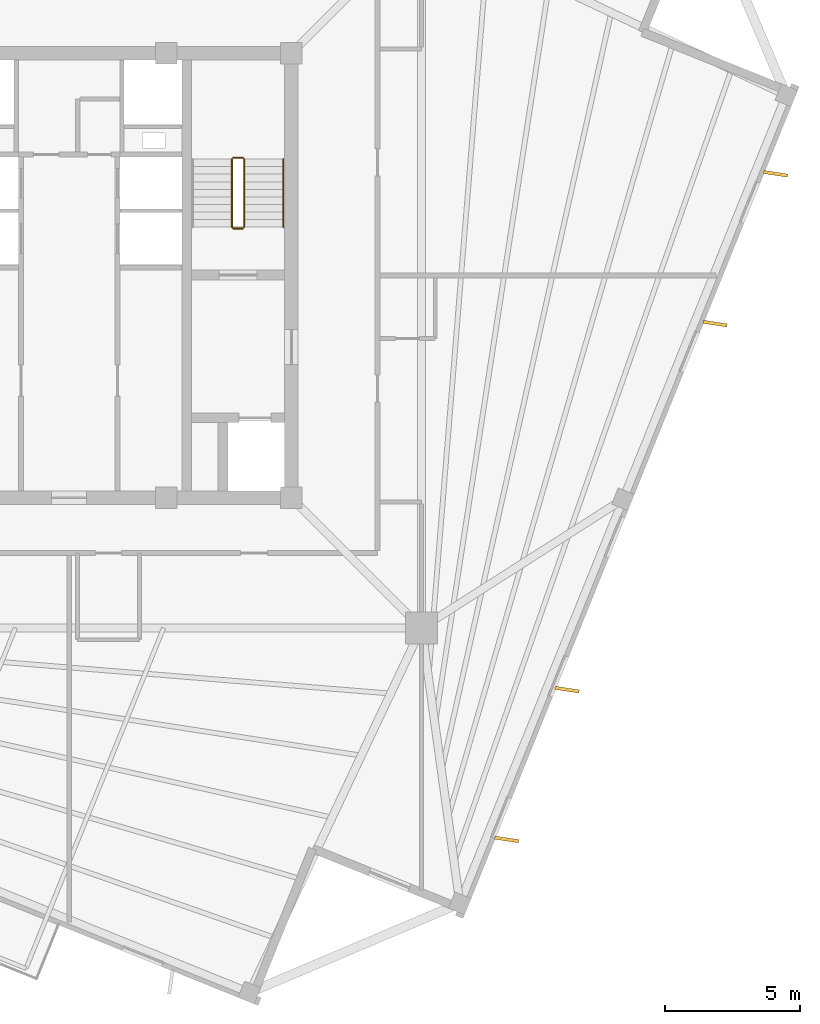
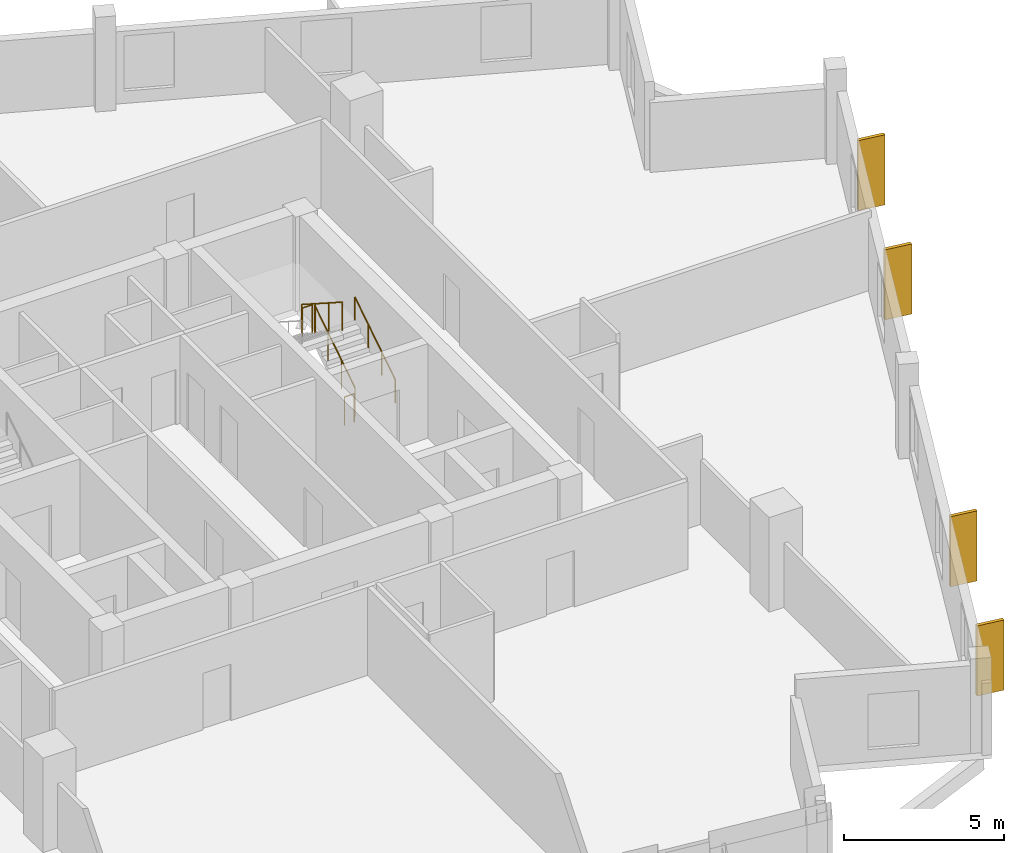
# One storey, part 7 of 8: 5 railings, 4 coverings.
"""IFC4 building model written with IfcOpenShell, lengths in metres."""

from ifc_helpers import new_model, si_unit, direction, frame, origin, origin_2d, place, context, subcontext, project, spatial, rectangle, circle, extrude, source, transform, mapped, material, layer, layer_set, type_object, element, save


model = new_model("IFC4")

# Units and contexts
model_context = context("Model", 3, precision=1e-05, world=origin(), true_north=direction((0.0, 1.0)))
body_context = subcontext(model_context, "Body", "Model", "MODEL_VIEW")
ifc_project = project(units=[si_unit("LENGTHUNIT", "METRE"), si_unit("AREAUNIT", "SQUARE_METRE"), si_unit("VOLUMEUNIT", "CUBIC_METRE"), si_unit("PLANEANGLEUNIT", "RADIAN"), si_unit("MASSUNIT", "GRAM", prefix="KILO"), si_unit("THERMODYNAMICTEMPERATUREUNIT", "KELVIN")], contexts=[model_context])

# Site, building, storey
site_placement = place(None, origin())
site = spatial("IfcSite", under=ifc_project, at=site_placement, CompositionType="ELEMENT")
building_placement = place(site_placement, origin())
building = spatial("IfcBuilding", under=site, at=building_placement, Name="Kosmvard Interchange Tower", CompositionType="ELEMENT")
storey_placement = place(building_placement, frame((0.0, 0.0, 286.800048828125)))
storey = spatial("IfcBuildingStorey", under=building, at=storey_placement, Name="L70", CompositionType="ELEMENT", Elevation=286.800048828125)

# Coverings
ifc_material_1 = material(Name="Architectural anodised aluminium", Category="aluminium")
ifc_layer = layer(ifc_material_1, 0.1201171875, Name="Architectural anodised aluminium")
ifc_layer_set = layer_set([ifc_layer], Name="Architectural anodised aluminium")
covering_type = type_object("IfcCoveringType", Name="Rotating Vertical Sun-Breaker Fin 900x120 Aluminium", PredefinedType="CLADDING", material=ifc_layer_set)
shared_shape_1 = source(origin(), body_context, "Body", "SweptSolid", [
    extrude(rectangle(XDim=0.89990234375, YDim=0.1201171875, at=origin_2d()), origin(), (0.0, 0.0, 1.0), 2.669921875),
])
for number, where, z_axis, x_axis, name in (
    (1, (16.2412109375, -20.932373046875, 0.0400390625), (0.0, 0.0, 1.0), (0.988493886809, -0.151260820247, 0.0), "L70 Rotating Vertical Sun-Breaker Fin 01"),
    (2, (18.4873046875, -15.373046875, 0.0400390625), (0.0, 0.0, 1.0), (0.988493886809, -0.151260820247, 0.0), "L70 Rotating Vertical Sun-Breaker Fin 02"),
    (3, (23.977783203125, -1.783935546875, 0.0400390625), (0.0, 0.0, 1.0), (0.988493886809, -0.151260820247, 0.0), "L70 Rotating Vertical Sun-Breaker Fin 03"),
    (4, (26.223876953125, 3.775390625, 0.0400390625), (0.0, 0.0, 1.0), (0.988493886809, -0.151260820247, 0.0), "L70 Rotating Vertical Sun-Breaker Fin 04"),
):
    element("IfcCovering", number, at=place(storey_placement, frame(where, z_axis=z_axis, x_axis=x_axis)), inside=storey, type_object=covering_type, Name=name, PredefinedType="CLADDING", context=body_context, shape_type="MappedRepresentation", body=[
        mapped(shared_shape_1, transform((0.0, 0.0, 0.0), scale=1.0)),
    ])

# Railings
ifc_material_2 = material(Name="Steel S355", Category="steel")
railing_type_1 = type_object("IfcRailingType", Name="Stair & Terrace Safety Guardrail 1100 Steel", PredefinedType="GUARDRAIL", material=ifc_material_2)
shared_shape_2 = source(origin(), body_context, "Body", "SweptSolid", [
    extrude(circle(Radius=0.02392578125, at=origin_2d()), frame((0.0, 0.0, 1.076171875), z_axis=(-1.0, 0.0, 0.0), x_axis=(0.0, -1.0, 0.0)), (0.0, 0.0, 1.0), 0.35986328125),
    extrude(circle(Radius=0.02099609375, at=origin_2d()), origin(), (0.0, 0.0, 1.0), 1.052001953125),
    extrude(circle(Radius=0.02099609375, at=origin_2d()), frame((-0.35986328125, 0.0, 0.0)), (0.0, 0.0, 1.0), 1.052001953125),
])
for number, where, name in (
    (5, (6.449951171875, 4.3701171875, 1.800048828125), "L70 ST-2 stair guard 2"),
    (6, (6.449951171875, 1.75, 0.0), "L70 ST-2 stair guard 4"),
):
    element("IfcRailing", number, at=place(storey_placement, frame(where)), inside=storey, type_object=railing_type_1, Name=name, PredefinedType="GUARDRAIL", context=body_context, shape_type="MappedRepresentation", body=[
        mapped(shared_shape_2, transform((0.0, 0.0, 0.0), scale=1.0)),
    ])
shared_shape_3 = source(origin(), body_context, "Body", "SweptSolid", [
    extrude(circle(Radius=0.02392578125, at=origin_2d()), frame((0.0, 0.0, 1.076171875), z_axis=(0.0, 0.841162588446, 0.540782303519), x_axis=(-1.0, 0.0, 0.0)), (0.0, 0.0, 1.0), 2.995849609375),
    extrude(circle(Radius=0.02099609375, at=origin_2d()), origin(), (0.0, 0.0, 1.0), 1.052001953125),
    extrude(circle(Radius=0.02099609375, at=origin_2d()), frame((0.0, 0.840087890625, 0.5400390625)), (0.0, 0.0, 1.0), 1.052001953125),
    extrude(circle(Radius=0.02099609375, at=origin_2d()), frame((0.0, 1.679931640625, 1.080078125)), (0.0, 0.0, 1.0), 1.052001953125),
    extrude(circle(Radius=0.02099609375, at=origin_2d()), frame((0.0, 2.52001953125, 1.6201171875)), (0.0, 0.0, 1.0), 1.052001953125),
])
railing_1_placement = place(storey_placement, frame((6.5, 1.800048828125, 0.179931640625)))
element("IfcRailing", 7, at=railing_1_placement, inside=storey, type_object=railing_type_1, Name="L70 ST-2 stair guard 1", PredefinedType="GUARDRAIL", context=body_context, shape_type="MappedRepresentation", body=[
    mapped(shared_shape_3, transform((0.0, 0.0, 0.0), scale=1.0)),
])
railing_type_2 = type_object("IfcRailingType", Name="Wall-Mounted Stair Handrail 900 Steel", PredefinedType="HANDRAIL", material=ifc_material_2)
shared_shape_4 = source(origin(), body_context, "Body", "SweptSolid", [
    extrude(circle(Radius=0.02392578125, at=origin_2d()), frame((0.0, 0.0, 0.8759765625), z_axis=(0.0, 0.841162588446, 0.540782303519), x_axis=(-1.0, 0.0, 0.0)), (0.0, 0.0, 1.0), 2.995849609375),
    extrude(circle(Radius=0.02099609375, at=origin_2d()), origin(), (0.0, 0.0, 1.0), 0.851806640625),
    extrude(circle(Radius=0.02099609375, at=origin_2d()), frame((0.0, 0.840087890625, 0.5400390625)), (0.0, 0.0, 1.0), 0.851806640625),
    extrude(circle(Radius=0.02099609375, at=origin_2d()), frame((0.0, 1.679931640625, 1.080078125)), (0.0, 0.0, 1.0), 0.851806640625),
    extrude(circle(Radius=0.02099609375, at=origin_2d()), frame((0.0, 2.52001953125, 1.6201171875)), (0.0, 0.0, 1.0), 0.851806640625),
])
railing_2_placement = place(storey_placement, frame((7.949951171875, 1.800048828125, 0.179931640625)))
element("IfcRailing", 8, at=railing_2_placement, inside=storey, type_object=railing_type_2, Name="L70 ST-2 stair handrail 1", PredefinedType="HANDRAIL", context=body_context, shape_type="MappedRepresentation", body=[
    mapped(shared_shape_4, transform((0.0, 0.0, 0.0), scale=1.0)),
])
shared_shape_5 = source(origin(), body_context, "Body", "SweptSolid", [
    extrude(circle(Radius=0.02392578125, at=origin_2d()), frame((0.0, 0.0, 1.076171875), z_axis=(0.0, -0.841199657755, 0.540724639528), x_axis=(1.0, 0.0, 0.0)), (0.0, 0.0, 1.0), 2.995849609375),
    extrude(circle(Radius=0.02099609375, at=origin_2d()), origin(), (0.0, 0.0, 1.0), 1.052001953125),
    extrude(circle(Radius=0.02099609375, at=origin_2d()), frame((0.0, -0.840087890625, 0.5400390625)), (0.0, 0.0, 1.0), 1.052001953125),
    extrude(circle(Radius=0.02099609375, at=origin_2d()), frame((0.0, -1.679931640625, 1.079833984375)), (0.0, 0.0, 1.0), 1.052001953125),
    extrude(circle(Radius=0.02099609375, at=origin_2d()), frame((0.0, -2.52001953125, 1.619873046875)), (0.0, 0.0, 1.0), 1.052001953125),
])
railing_3_placement = place(storey_placement, frame((6.0400390625, 4.320068359375, 1.97998046875)))
element("IfcRailing", 9, at=railing_3_placement, inside=storey, type_object=railing_type_1, Name="L70 ST-2 stair guard 3", PredefinedType="GUARDRAIL", context=body_context, shape_type="MappedRepresentation", body=[
    mapped(shared_shape_5, transform((0.0, 0.0, 0.0), scale=1.0)),
])

save(model, "model.ifc")
